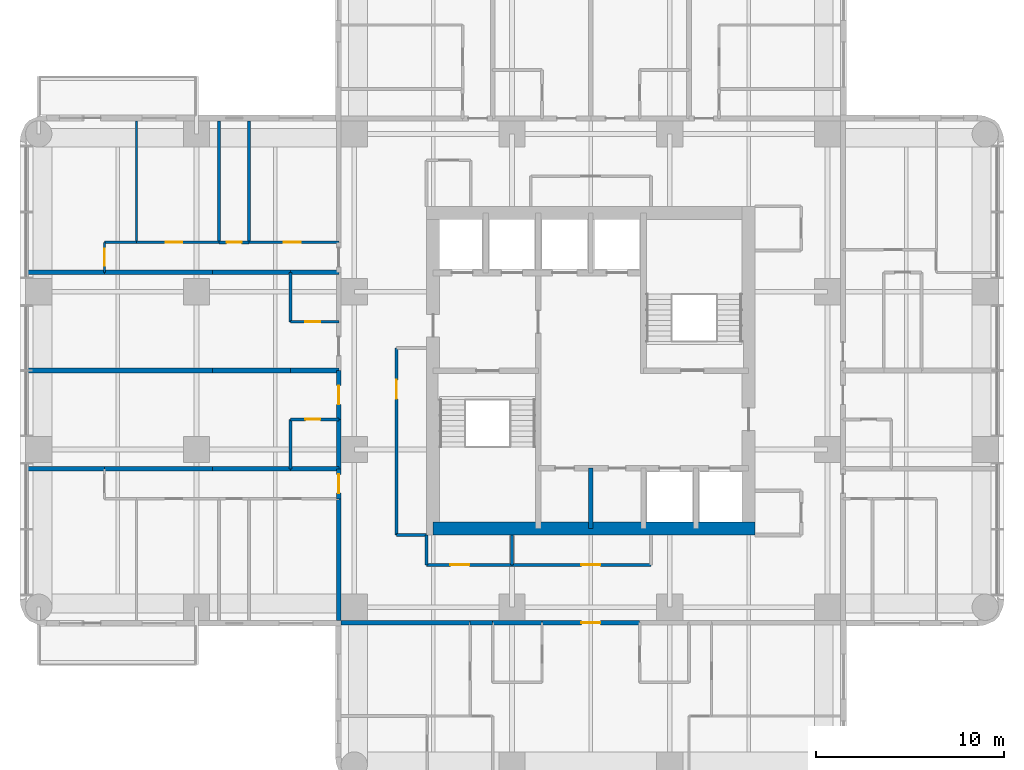
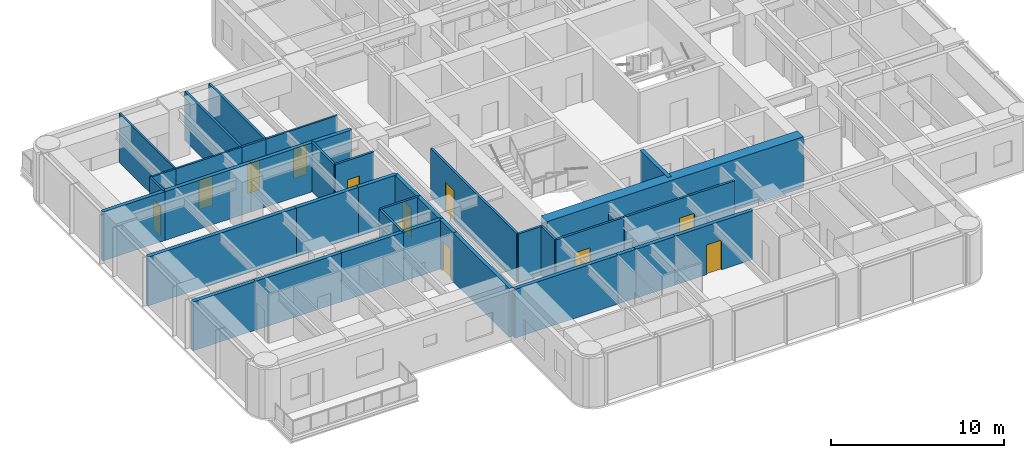
# One storey, part 5 of 11: 39 walls, 12 doors, 12 openings.
"""IFC4 building model written with IfcOpenShell, lengths in metres."""

from ifc_helpers import new_model, si_unit, direction, frame, frame_2d, origin, place, context, subcontext, project, spatial, rectangle, extrude, material, layer, layer_set, type_object, element, fill, save


model = new_model("IFC4")

# Units and contexts
model_context = context("Model", 3, precision=1e-05, world=origin(), true_north=direction((0.0, 1.0)))
body_context = subcontext(model_context, "Body", "Model", "MODEL_VIEW")
ifc_project = project(units=[si_unit("LENGTHUNIT", "METRE"), si_unit("AREAUNIT", "SQUARE_METRE"), si_unit("VOLUMEUNIT", "CUBIC_METRE"), si_unit("PLANEANGLEUNIT", "RADIAN"), si_unit("MASSUNIT", "GRAM", prefix="KILO")], contexts=[model_context])

# Site, building, storey
site_placement = place(None, origin())
site = spatial("IfcSite", under=ifc_project, at=site_placement, CompositionType="ELEMENT")
building_placement = place(site_placement, origin())
building = spatial("IfcBuilding", under=site, at=building_placement, Name="Torre Alcanfor", CompositionType="ELEMENT")
storey_placement = place(building_placement, frame((0.0, 0.0, 219.300048828125)))
storey = spatial("IfcBuildingStorey", under=building, at=storey_placement, Name="L57", CompositionType="ELEMENT", Elevation=219.300048828125)

# Wall, opening, door
ifc_material_1 = material(Name="Concrete block masonry, hollow blocks NMX-C-404 9 MPa", Category="masonry")
ifc_layer_1 = layer(ifc_material_1, 0.25)
ifc_layer_set_1 = layer_set([ifc_layer_1], Name="Apartment entrance wall 250 EI 60")
wall_type_1 = type_object("IfcWallType", Name="Apartment entrance wall 250 EI 60", PredefinedType="PARTITIONING", material=ifc_layer_set_1)
wall_1_placement = place(storey_placement, frame((32.0, 15.97509765625, 0.0), z_axis=(0.0, 0.0, 1.0), x_axis=(-1.0, 0.0, 0.0)))
wall_1 = element("IfcWall", 1, at=wall_1_placement, inside=storey, type_object=wall_type_1, Name="Partition L57-CORR / L57-SX-ZAG", PredefinedType="PARTITIONING", context=body_context, shape_type="SweptSolid", body=[
    extrude(rectangle(XDim=5.199951171875, YDim=0.25, at=frame_2d((2.60009765625, 0.0))), origin(), (0.0, 0.0, 1.0), 3.449951171875),
])
opening_1_placement = place(wall_1_placement, frame((2.10009765625, 0.0, 0.0)))
opening_1 = element("IfcOpeningElement", 2, at=opening_1_placement, cuts=wall_1, Name="Opening D-A1", PredefinedType="OPENING", context=body_context, shape_type="SweptSolid", body=[
    extrude(rectangle(XDim=1.0, YDim=2.10009765625, at=frame_2d((0.5, 1.050048828125))), frame((0.0, 0.135009765625, 0.0), z_axis=(0.0, -1.0, 0.0), x_axis=(1.0, 0.0, 0.0)), (0.0, 0.0, 1.0), 0.27001953125),
])
ifc_material_2 = material(Name="Galvanised steel sheet ASTM A653", Category="steel")
door_type_1 = type_object("IfcDoorType", Name="Apartment entrance door FD60 1000x2100", OperationType="SINGLE_SWING_LEFT", PredefinedType="DOOR", material=ifc_material_2)
door_1_placement = place(opening_1_placement, origin())
door_1 = element("IfcDoor", 3, at=door_1_placement, inside=storey, type_object=door_type_1, Name="Apartment entrance L57-SX", OperationType="SINGLE_SWING_LEFT", OverallHeight=2.10009765625, OverallWidth=1.0, PredefinedType="DOOR", context=body_context, shape_type="SweptSolid", body=[
    extrude(rectangle(XDim=1.0, YDim=2.10009765625, at=frame_2d((0.5, 1.050048828125))), frame((0.0, 0.02490234375, 0.0), z_axis=(0.0, -1.0, 0.0), x_axis=(1.0, 0.0, 0.0)), (0.0, 0.0, 1.0), 0.050048828125),
])
fill(opening_1, door_1)

# Walls
wall_2_placement = place(storey_placement, frame((26.800048828125, 15.97509765625, 0.0), z_axis=(0.0, 0.0, 1.0), x_axis=(-1.0, 0.0, 0.0)))
element("IfcWall", 4, at=wall_2_placement, inside=storey, type_object=wall_type_1, Name="Partition L57-CORR / L57-SX-KITCHEN", PredefinedType="PARTITIONING", context=body_context, shape_type="SweptSolid", body=[
    extrude(rectangle(XDim=2.629150390625, YDim=0.25, at=frame_2d((1.314453125, 0.0))), origin(), (0.0, 0.0, 1.0), 3.449951171875),
])
wall_3_placement = place(storey_placement, frame((24.1708984375, 15.97509765625, 0.0), z_axis=(0.0, 0.0, 1.0), x_axis=(-1.0, 0.0, 0.0)))
element("IfcWall", 5, at=wall_3_placement, inside=storey, type_object=wall_type_1, Name="Partition L57-CORR / L57-SX-LIVING", PredefinedType="PARTITIONING", context=body_context, shape_type="SweptSolid", body=[
    extrude(rectangle(XDim=1.199951171875, YDim=0.25, at=frame_2d((0.60009765625, 0.0))), origin(), (0.0, 0.0, 1.0), 3.449951171875),
])
wall_4_placement = place(storey_placement, frame((22.970947265625, 15.97509765625, 0.0), z_axis=(0.0, 0.0, 1.0), x_axis=(-1.0, 0.0, 0.0)))
element("IfcWall", 6, at=wall_4_placement, inside=storey, type_object=wall_type_1, Name="Partition L57-CORR / L57-SX-BED3", PredefinedType="PARTITIONING", context=body_context, shape_type="SweptSolid", body=[
    extrude(rectangle(XDim=6.870849609375, YDim=0.25, at=frame_2d((3.435546875, 0.0))), origin(), (0.0, 0.0, 1.0), 3.449951171875),
])

# Wall, opening, door
wall_5_placement = place(storey_placement, frame((15.97509765625, 26.800048828125, 0.0), z_axis=(0.0, 0.0, 1.0), x_axis=(0.0, 1.0, 0.0)))
wall_5 = element("IfcWall", 7, at=wall_5_placement, inside=storey, type_object=wall_type_1, Name="Partition L57-CORR / L57-W1A-FOYER", PredefinedType="PARTITIONING", context=body_context, shape_type="SweptSolid", body=[
    extrude(rectangle(XDim=2.599853515625, YDim=0.25, at=frame_2d((1.2998046875, 0.0))), origin(), (0.0, 0.0, 1.0), 3.449951171875),
])
opening_2_placement = place(wall_5_placement, frame((0.800048828125, 0.0, 0.0)))
opening_2 = element("IfcOpeningElement", 8, at=opening_2_placement, cuts=wall_5, Name="Opening D-A1", PredefinedType="OPENING", context=body_context, shape_type="SweptSolid", body=[
    extrude(rectangle(XDim=1.0, YDim=2.10009765625, at=frame_2d((0.5, 1.050048828125))), frame((0.0, 0.135009765625, 0.0), z_axis=(0.0, -1.0, 0.0), x_axis=(1.0, 0.0, 0.0)), (0.0, 0.0, 1.0), 0.27001953125),
])
door_2_placement = place(opening_2_placement, origin())
door_2 = element("IfcDoor", 9, at=door_2_placement, inside=storey, type_object=door_type_1, Name="Apartment entrance L57-W1A", OperationType="SINGLE_SWING_LEFT", OverallHeight=2.10009765625, OverallWidth=1.0, PredefinedType="DOOR", context=body_context, shape_type="SweptSolid", body=[
    extrude(rectangle(XDim=1.0, YDim=2.10009765625, at=frame_2d((0.5, 1.050048828125))), frame((0.0, 0.02490234375, 0.0), z_axis=(0.0, -1.0, 0.0), x_axis=(1.0, 0.0, 0.0)), (0.0, 0.0, 1.0), 0.050048828125),
])
fill(opening_2, door_2)

# Wall
wall_6_placement = place(storey_placement, frame((15.97509765625, 24.1708984375, 0.0), z_axis=(0.0, 0.0, 1.0), x_axis=(0.0, 1.0, 0.0)))
element("IfcWall", 10, at=wall_6_placement, inside=storey, type_object=wall_type_1, Name="Partition L57-CORR / L57-W1A-BATH", PredefinedType="PARTITIONING", context=body_context, shape_type="SweptSolid", body=[
    extrude(rectangle(XDim=2.629150390625, YDim=0.25, at=frame_2d((1.314453125, 0.0))), origin(), (0.0, 0.0, 1.0), 3.449951171875),
])

# Wall, opening, door
wall_7_placement = place(storey_placement, frame((15.97509765625, 22.571044921875, 0.0), z_axis=(0.0, 0.0, 1.0), x_axis=(0.0, 1.0, 0.0)))
wall_7 = element("IfcWall", 11, at=wall_7_placement, inside=storey, type_object=wall_type_1, Name="Partition L57-CORR / L57-W1B-HALL", PredefinedType="PARTITIONING", context=body_context, shape_type="SweptSolid", body=[
    extrude(rectangle(XDim=1.599853515625, YDim=0.25, at=frame_2d((0.7998046875, 0.0))), origin(), (0.0, 0.0, 1.0), 3.449951171875),
])
opening_3_placement = place(wall_7_placement, frame((0.300048828125, 0.0, 0.0)))
opening_3 = element("IfcOpeningElement", 12, at=opening_3_placement, cuts=wall_7, Name="Opening D-A1", PredefinedType="OPENING", context=body_context, shape_type="SweptSolid", body=[
    extrude(rectangle(XDim=1.0, YDim=2.10009765625, at=frame_2d((0.5, 1.050048828125))), frame((0.0, 0.135009765625, 0.0), z_axis=(0.0, -1.0, 0.0), x_axis=(1.0, 0.0, 0.0)), (0.0, 0.0, 1.0), 0.27001953125),
])
door_3_placement = place(opening_3_placement, origin())
door_3 = element("IfcDoor", 13, at=door_3_placement, inside=storey, type_object=door_type_1, Name="Apartment entrance L57-W1B", OperationType="SINGLE_SWING_LEFT", OverallHeight=2.10009765625, OverallWidth=1.0, PredefinedType="DOOR", context=body_context, shape_type="SweptSolid", body=[
    extrude(rectangle(XDim=1.0, YDim=2.10009765625, at=frame_2d((0.5, 1.050048828125))), frame((0.0, 0.02490234375, 0.0), z_axis=(0.0, -1.0, 0.0), x_axis=(1.0, 0.0, 0.0)), (0.0, 0.0, 1.0), 0.050048828125),
])
fill(opening_3, door_3)

# Wall
wall_8_placement = place(storey_placement, frame((15.97509765625, 16.10009765625, 0.0), z_axis=(0.0, 0.0, 1.0), x_axis=(0.0, 1.0, 0.0)))
element("IfcWall", 14, at=wall_8_placement, inside=storey, type_object=wall_type_1, Name="Partition L57-CORR / L57-W1B-MASTER", PredefinedType="PARTITIONING", context=body_context, shape_type="SweptSolid", body=[
    extrude(rectangle(XDim=6.470947265625, YDim=0.25, at=frame_2d((3.2353515625, 0.0))), origin(), (0.0, 0.0, 1.0), 3.449951171875),
])

# Wall, opening, door
ifc_material_3 = material(Name="Gypsum board on steel studs", Category="steel")
ifc_layer_2 = layer(ifc_material_3, 0.1201171875)
ifc_layer_set_2 = layer_set([ifc_layer_2], Name="Apartment partition 120")
wall_type_2 = type_object("IfcWallType", Name="Apartment partition 120", PredefinedType="PARTITIONING", material=ifc_layer_set_2)
wall_9_placement = place(storey_placement, frame((11.199951171875, 36.22900390625, 0.0), z_axis=(0.0, 0.0, 1.0), x_axis=(1.0, 0.0, 0.0)))
wall_9 = element("IfcWall", 15, at=wall_9_placement, inside=storey, type_object=wall_type_2, Name="Partition L57-W2B-HALL / L57-W2B-MASTER", PredefinedType="PARTITIONING", context=body_context, shape_type="SweptSolid", body=[
    extrude(rectangle(XDim=4.775146484375, YDim=0.1201171875, at=frame_2d((2.3876953125, 0.0))), origin(), (0.0, 0.0, 1.0), 3.449951171875),
])
opening_4_placement = place(wall_9_placement, frame((1.85009765625, 0.0, 0.0)))
opening_4 = element("IfcOpeningElement", 16, at=opening_4_placement, cuts=wall_9, Name="Opening D-R1", PredefinedType="OPENING", context=body_context, shape_type="SweptSolid", body=[
    extrude(rectangle(XDim=0.89990234375, YDim=2.10009765625, at=frame_2d((0.449951171875, 1.050048828125))), frame((0.0, 0.070068359375, 0.0), z_axis=(0.0, -1.0, 0.0), x_axis=(1.0, 0.0, 0.0)), (0.0, 0.0, 1.0), 0.14013671875),
])
ifc_material_4 = material(Name="Timber", Category="wood")
door_type_2 = type_object("IfcDoorType", Name="Internal door 900x2100", OperationType="SINGLE_SWING_LEFT", PredefinedType="DOOR", material=ifc_material_4)
door_4_placement = place(opening_4_placement, origin())
door_4 = element("IfcDoor", 17, at=door_4_placement, inside=storey, type_object=door_type_2, Name="Door L57-W2B master", OperationType="SINGLE_SWING_LEFT", OverallHeight=2.10009765625, OverallWidth=0.89990234375, PredefinedType="DOOR", context=body_context, shape_type="SweptSolid", body=[
    extrude(rectangle(XDim=0.89990234375, YDim=2.10009765625, at=frame_2d((0.449951171875, 1.050048828125))), frame((0.0, 0.02490234375, 0.0), z_axis=(0.0, -1.0, 0.0), x_axis=(1.0, 0.0, 0.0)), (0.0, 0.0, 1.0), 0.050048828125),
])
fill(opening_4, door_4)

wall_10_placement = place(storey_placement, frame((5.199951171875, 36.22900390625, 0.0), z_axis=(0.0, 0.0, 1.0), x_axis=(1.0, 0.0, 0.0)))
wall_10 = element("IfcWall", 18, at=wall_10_placement, inside=storey, type_object=wall_type_2, Name="Partition L57-W2B-HALL / L57-W2B-STUDY", PredefinedType="PARTITIONING", context=body_context, shape_type="SweptSolid", body=[
    extrude(rectangle(XDim=4.400146484375, YDim=0.1201171875, at=frame_2d((2.2001953125, 0.0))), origin(), (0.0, 0.0, 1.0), 3.449951171875),
])
opening_5_placement = place(wall_10_placement, frame((1.550048828125, 0.0, 0.0)))
opening_5 = element("IfcOpeningElement", 19, at=opening_5_placement, cuts=wall_10, Name="Opening D-R1", PredefinedType="OPENING", context=body_context, shape_type="SweptSolid", body=[
    extrude(rectangle(XDim=0.89990234375, YDim=2.10009765625, at=frame_2d((0.449951171875, 1.050048828125))), frame((0.0, 0.070068359375, 0.0), z_axis=(0.0, -1.0, 0.0), x_axis=(1.0, 0.0, 0.0)), (0.0, 0.0, 1.0), 0.14013671875),
])
door_5_placement = place(opening_5_placement, origin())
door_5 = element("IfcDoor", 20, at=door_5_placement, inside=storey, type_object=door_type_2, Name="Door L57-W2B study", OperationType="SINGLE_SWING_LEFT", OverallHeight=2.10009765625, OverallWidth=0.89990234375, PredefinedType="DOOR", context=body_context, shape_type="SweptSolid", body=[
    extrude(rectangle(XDim=0.89990234375, YDim=2.10009765625, at=frame_2d((0.449951171875, 1.050048828125))), frame((0.0, 0.02490234375, 0.0), z_axis=(0.0, -1.0, 0.0), x_axis=(1.0, 0.0, 0.0)), (0.0, 0.0, 1.0), 0.050048828125),
])
fill(opening_5, door_5)

# Wall
wall_11_placement = place(storey_placement, frame((3.5, 36.22900390625, 0.0), z_axis=(0.0, 0.0, 1.0), x_axis=(1.0, 0.0, 0.0)))
element("IfcWall", 21, at=wall_11_placement, inside=storey, type_object=wall_type_2, Name="Partition L57-W2B-HALL / L57-W2B-KITCHEN", PredefinedType="PARTITIONING", context=body_context, shape_type="SweptSolid", body=[
    extrude(rectangle(XDim=1.699951171875, YDim=0.1201171875, at=frame_2d((0.85009765625, 0.0))), origin(), (0.0, 0.0, 1.0), 3.449951171875),
])

# Wall, opening, door
wall_12_placement = place(storey_placement, frame((3.5, 34.62890625, 0.0), z_axis=(0.0, 0.0, 1.0), x_axis=(0.0, 1.0, 0.0)))
wall_12 = element("IfcWall", 22, at=wall_12_placement, inside=storey, type_object=wall_type_2, Name="Partition L57-W2B-HALL / L57-W2B-LIVING", PredefinedType="PARTITIONING", context=body_context, shape_type="SweptSolid", body=[
    extrude(rectangle(XDim=1.60009765625, YDim=0.1201171875, at=frame_2d((0.800048828125, 0.0))), origin(), (0.0, 0.0, 1.0), 3.449951171875),
])
opening_6_placement = place(wall_12_placement, frame((0.35009765625, 0.0, 0.0)))
opening_6 = element("IfcOpeningElement", 23, at=opening_6_placement, cuts=wall_12, Name="Opening D-R1", PredefinedType="OPENING", context=body_context, shape_type="SweptSolid", body=[
    extrude(rectangle(XDim=0.89990234375, YDim=2.10009765625, at=frame_2d((0.449951171875, 1.050048828125))), frame((0.0, 0.070068359375, 0.0), z_axis=(0.0, -1.0, 0.0), x_axis=(1.0, 0.0, 0.0)), (0.0, 0.0, 1.0), 0.14013671875),
])
door_6_placement = place(opening_6_placement, origin())
door_6 = element("IfcDoor", 24, at=door_6_placement, inside=storey, type_object=door_type_2, Name="Door L57-W2B living", OperationType="SINGLE_SWING_LEFT", OverallHeight=2.10009765625, OverallWidth=0.89990234375, PredefinedType="DOOR", context=body_context, shape_type="SweptSolid", body=[
    extrude(rectangle(XDim=0.89990234375, YDim=2.10009765625, at=frame_2d((0.449951171875, 1.050048828125))), frame((0.0, 0.02490234375, 0.0), z_axis=(0.0, -1.0, 0.0), x_axis=(1.0, 0.0, 0.0)), (0.0, 0.0, 1.0), 0.050048828125),
])
fill(opening_6, door_6)

# Walls
wall_13_placement = place(storey_placement, frame((5.199951171875, 36.22900390625, 0.0), z_axis=(0.0, 0.0, 1.0), x_axis=(0.0, 1.0, 0.0)))
element("IfcWall", 25, at=wall_13_placement, inside=storey, type_object=wall_type_2, Name="Partition L57-W2B-STUDY / L57-W2B-KITCHEN", PredefinedType="PARTITIONING", context=body_context, shape_type="SweptSolid", body=[
    extrude(rectangle(XDim=6.470947265625, YDim=0.1201171875, at=frame_2d((3.2353515625, 0.0))), origin(), (0.0, 0.0, 1.0), 3.449951171875),
])
ifc_material_5 = material(Name="Concrete f'c 70 MPa", Category="concrete")
ifc_layer_3 = layer(ifc_material_5, 0.25)
ifc_layer_set_3 = layer_set([ifc_layer_3], Name="Core shaft wall 250 f'c70")
wall_type_3 = type_object("IfcWallType", Name="Core shaft wall 250 f'c70", PredefinedType="SHEAR", material=ifc_layer_set_3)
wall_14_placement = place(storey_placement, frame((29.39990234375, 21.0, 0.0), z_axis=(0.0, 0.0, 1.0), x_axis=(0.0, 1.0, 0.0)))
element("IfcWall", 26, at=wall_14_placement, inside=storey, type_object=wall_type_3, Name="Core wall X294S L57", PredefinedType="SHEAR", context=body_context, shape_type="SweptSolid", body=[
    extrude(rectangle(XDim=3.199951171875, YDim=0.25, at=frame_2d((1.60009765625, 0.0))), origin(), (0.0, 0.0, 1.0), 3.599853515625),
])
ifc_material_6 = material(Name="Concrete f'c 70 MPa", Category="concrete")
ifc_layer_4 = layer(ifc_material_6, 0.699951171875)
ifc_layer_set_4 = layer_set([ifc_layer_4], Name="Core wall 700 f'c70")
wall_type_4 = type_object("IfcWallType", Name="Core wall 700 f'c70", PredefinedType="SHEAR", material=ifc_layer_set_4)
wall_15_placement = place(storey_placement, frame((21.0, 21.0, 0.0), z_axis=(0.0, 0.0, 1.0), x_axis=(1.0, 0.0, 0.0)))
element("IfcWall", 27, at=wall_15_placement, inside=storey, type_object=wall_type_4, Name="Core wall OUT-S L57", PredefinedType="SHEAR", context=body_context, shape_type="SweptSolid", body=[
    extrude(rectangle(XDim=17.14990234375, YDim=0.699951171875, at=frame_2d((8.574951171875, 0.0))), origin(), (0.0, 0.0, 1.0), 3.599853515625),
])
ifc_material_7 = material(Name="Concrete block masonry, hollow blocks NMX-C-404 9 MPa", Category="masonry")
ifc_layer_5 = layer(ifc_material_7, 0.25)
ifc_layer_set_5 = layer_set([ifc_layer_5], Name="Party wall 250 EI 60")
wall_type_5 = type_object("IfcWallType", Name="Party wall 250 EI 60", PredefinedType="PARTITIONING", material=ifc_layer_set_5)
for number, where, z_axis, x_axis, name in (
    (28, (15.97509765625, 29.39990234375, 0.0), (0.0, 0.0, 1.0), (-1.0, 0.0, 0.0), "Partition L57-W1A-FOYER / L57-W2A-FOYER"),
    (29, (13.39990234375, 24.1708984375, 0.0), (0.0, 0.0, 1.0), (1.0, 0.0, 0.0), "Partition L57-W1A-BATH / L57-W1B-HALL"),
):
    element("IfcWall", number, at=place(storey_placement, frame(where, z_axis=z_axis, x_axis=x_axis)), inside=storey, type_object=wall_type_5, Name=name, PredefinedType="PARTITIONING", context=body_context, shape_type="SweptSolid", body=[
        extrude(rectangle(XDim=2.5751953125, YDim=0.25, at=frame_2d((1.28759765625, 0.0))), origin(), (0.0, 0.0, 1.0), 3.449951171875),
    ])
for number, where, z_axis, x_axis, name in (
    (30, (9.25, 24.1708984375, 0.0), (0.0, 0.0, 1.0), (1.0, 0.0, 0.0), "Partition L57-W1A-KITCHEN / L57-W1B-HALL"),
    (31, (13.39990234375, 29.39990234375, 0.0), (0.0, 0.0, 1.0), (-1.0, 0.0, 0.0), "Partition L57-W1A-KITCHEN / L57-W2A-KITCHEN"),
):
    element("IfcWall", number, at=place(storey_placement, frame(where, z_axis=z_axis, x_axis=x_axis)), inside=storey, type_object=wall_type_5, Name=name, PredefinedType="PARTITIONING", context=body_context, shape_type="SweptSolid", body=[
        extrude(rectangle(XDim=4.14990234375, YDim=0.25, at=frame_2d((2.074951171875, 0.0))), origin(), (0.0, 0.0, 1.0), 3.449951171875),
    ])
wall_16_placement = place(storey_placement, frame((3.5, 24.1708984375, 0.0), z_axis=(0.0, 0.0, 1.0), x_axis=(1.0, 0.0, 0.0)))
element("IfcWall", 32, at=wall_16_placement, inside=storey, type_object=wall_type_5, Name="Partition L57-W1A-STUDIO / L57-W1B-HALL", PredefinedType="PARTITIONING", context=body_context, shape_type="SweptSolid", body=[
    extrude(rectangle(XDim=5.75, YDim=0.25, at=frame_2d((2.875, 0.0))), origin(), (0.0, 0.0, 1.0), 3.449951171875),
])
wall_17_placement = place(storey_placement, frame((-0.64990234375, 24.1708984375, 0.0), z_axis=(0.0, 0.0, 1.0), x_axis=(1.0, 0.0, 0.0)))
element("IfcWall", 33, at=wall_17_placement, inside=storey, type_object=wall_type_5, Name="Partition L57-W1A-STUDIO / L57-W1B-LIVING", PredefinedType="PARTITIONING", context=body_context, shape_type="SweptSolid", body=[
    extrude(rectangle(XDim=4.14990234375, YDim=0.25, at=frame_2d((2.074951171875, 0.0))), origin(), (0.0, 0.0, 1.0), 3.449951171875),
])
wall_18_placement = place(storey_placement, frame((9.25, 29.39990234375, 0.0), z_axis=(0.0, 0.0, 1.0), x_axis=(-1.0, 0.0, 0.0)))
element("IfcWall", 34, at=wall_18_placement, inside=storey, type_object=wall_type_5, Name="Partition L57-W1A-STUDIO / L57-W2A-STUDIO", PredefinedType="PARTITIONING", context=body_context, shape_type="SweptSolid", body=[
    extrude(rectangle(XDim=9.89990234375, YDim=0.25, at=frame_2d((4.949951171875, 0.0))), origin(), (0.0, 0.0, 1.0), 3.449951171875),
])
wall_19_placement = place(storey_placement, frame((13.39990234375, 34.62890625, 0.0), z_axis=(0.0, 0.0, 1.0), x_axis=(1.0, 0.0, 0.0)))
element("IfcWall", 35, at=wall_19_placement, inside=storey, type_object=wall_type_5, Name="Partition L57-W2A-BATH / L57-W2B-HALL", PredefinedType="PARTITIONING", context=body_context, shape_type="SweptSolid", body=[
    extrude(rectangle(XDim=2.5751953125, YDim=0.25, at=frame_2d((1.28759765625, 0.0))), origin(), (0.0, 0.0, 1.0), 3.449951171875),
])
wall_20_placement = place(storey_placement, frame((9.25, 34.62890625, 0.0), z_axis=(0.0, 0.0, 1.0), x_axis=(1.0, 0.0, 0.0)))
element("IfcWall", 36, at=wall_20_placement, inside=storey, type_object=wall_type_5, Name="Partition L57-W2A-KITCHEN / L57-W2B-HALL", PredefinedType="PARTITIONING", context=body_context, shape_type="SweptSolid", body=[
    extrude(rectangle(XDim=4.14990234375, YDim=0.25, at=frame_2d((2.074951171875, 0.0))), origin(), (0.0, 0.0, 1.0), 3.449951171875),
])
wall_21_placement = place(storey_placement, frame((3.5, 34.62890625, 0.0), z_axis=(0.0, 0.0, 1.0), x_axis=(1.0, 0.0, 0.0)))
element("IfcWall", 37, at=wall_21_placement, inside=storey, type_object=wall_type_5, Name="Partition L57-W2A-STUDIO / L57-W2B-HALL", PredefinedType="PARTITIONING", context=body_context, shape_type="SweptSolid", body=[
    extrude(rectangle(XDim=5.75, YDim=0.25, at=frame_2d((2.875, 0.0))), origin(), (0.0, 0.0, 1.0), 3.449951171875),
])
wall_22_placement = place(storey_placement, frame((-0.64990234375, 34.62890625, 0.0), z_axis=(0.0, 0.0, 1.0), x_axis=(1.0, 0.0, 0.0)))
element("IfcWall", 38, at=wall_22_placement, inside=storey, type_object=wall_type_5, Name="Partition L57-W2A-STUDIO / L57-W2B-LIVING", PredefinedType="PARTITIONING", context=body_context, shape_type="SweptSolid", body=[
    extrude(rectangle(XDim=4.14990234375, YDim=0.25, at=frame_2d((2.074951171875, 0.0))), origin(), (0.0, 0.0, 1.0), 3.449951171875),
])
ifc_material_8 = material(Name="Concrete block masonry, hollow blocks NMX-C-404 9 MPa", Category="masonry")
ifc_layer_6 = layer(ifc_material_8, 0.14990234375)
ifc_layer_set_6 = layer_set([ifc_layer_6], Name="Residents' room partition 150")
wall_type_6 = type_object("IfcWallType", Name="Residents' room partition 150", PredefinedType="PARTITIONING", material=ifc_layer_set_6)
wall_23_placement = place(storey_placement, frame((20.64990234375, 20.64990234375, 0.0), z_axis=(0.0, 0.0, 1.0), x_axis=(0.0, -1.0, 0.0)))
element("IfcWall", 39, at=wall_23_placement, inside=storey, type_object=wall_type_6, Name="Partition L57-CORR / L57-G05", PredefinedType="PARTITIONING", context=body_context, shape_type="SweptSolid", body=[
    extrude(rectangle(XDim=1.599853515625, YDim=0.14990234375, at=frame_2d((0.7998046875, 0.0))), origin(), (0.0, 0.0, 1.0), 3.449951171875),
])

# Wall, opening, door
wall_24_placement = place(storey_placement, frame((20.64990234375, 19.050048828125, 0.0), z_axis=(0.0, 0.0, 1.0), x_axis=(1.0, 0.0, 0.0)))
wall_24 = element("IfcWall", 40, at=wall_24_placement, inside=storey, type_object=wall_type_6, Name="Partition L57-CORR / L57-G05", PredefinedType="PARTITIONING", context=body_context, shape_type="SweptSolid", body=[
    extrude(rectangle(XDim=4.550048828125, YDim=0.14990234375, at=frame_2d((2.27490234375, 0.0))), origin(), (0.0, 0.0, 1.0), 3.449951171875),
])
opening_7_placement = place(wall_24_placement, frame((1.27490234375, 0.0, 0.0)))
opening_7 = element("IfcOpeningElement", 41, at=opening_7_placement, cuts=wall_24, Name="Opening D-M1", PredefinedType="OPENING", context=body_context, shape_type="SweptSolid", body=[
    extrude(rectangle(XDim=1.0, YDim=2.10009765625, at=frame_2d((0.5, 1.050048828125))), frame((0.0, 0.0849609375, 0.0), z_axis=(0.0, -1.0, 0.0), x_axis=(1.0, 0.0, 0.0)), (0.0, 0.0, 1.0), 0.169921875),
])
ifc_material_9 = material(Name="Timber", Category="wood")
door_type_3 = type_object("IfcDoorType", Name="Residents' room door 1000x2100", OperationType="SINGLE_SWING_LEFT", PredefinedType="DOOR", material=ifc_material_9)
door_7_placement = place(opening_7_placement, origin())
door_7 = element("IfcDoor", 42, at=door_7_placement, inside=storey, type_object=door_type_3, Name="Door L57-G05 residents' storage", OperationType="SINGLE_SWING_LEFT", OverallHeight=2.10009765625, OverallWidth=1.0, PredefinedType="DOOR", context=body_context, shape_type="SweptSolid", body=[
    extrude(rectangle(XDim=1.0, YDim=2.10009765625, at=frame_2d((0.5, 1.050048828125))), frame((0.0, 0.02490234375, 0.0), z_axis=(0.0, -1.0, 0.0), x_axis=(1.0, 0.0, 0.0)), (0.0, 0.0, 1.0), 0.050048828125),
])
fill(opening_7, door_7)

wall_25_placement = place(storey_placement, frame((25.199951171875, 19.050048828125, 0.0), z_axis=(0.0, 0.0, 1.0), x_axis=(1.0, 0.0, 0.0)))
wall_25 = element("IfcWall", 43, at=wall_25_placement, inside=storey, type_object=wall_type_6, Name="Partition L57-CORR / L57-G06", PredefinedType="PARTITIONING", context=body_context, shape_type="SweptSolid", body=[
    extrude(rectangle(XDim=7.400146484375, YDim=0.14990234375, at=frame_2d((3.7001953125, 0.0))), origin(), (0.0, 0.0, 1.0), 3.449951171875),
])
opening_8_placement = place(wall_25_placement, frame((3.699951171875, 0.0, 0.0)))
opening_8 = element("IfcOpeningElement", 44, at=opening_8_placement, cuts=wall_25, Name="Opening D-M1", PredefinedType="OPENING", context=body_context, shape_type="SweptSolid", body=[
    extrude(rectangle(XDim=1.0, YDim=2.10009765625, at=frame_2d((0.5, 1.050048828125))), frame((0.0, 0.0849609375, 0.0), z_axis=(0.0, -1.0, 0.0), x_axis=(1.0, 0.0, 0.0)), (0.0, 0.0, 1.0), 0.169921875),
])
door_8_placement = place(opening_8_placement, origin())
door_8 = element("IfcDoor", 45, at=door_8_placement, inside=storey, type_object=door_type_3, Name="Door L57-G06 residents' storage", OperationType="SINGLE_SWING_RIGHT", OverallHeight=2.10009765625, OverallWidth=1.0, PredefinedType="DOOR", context=body_context, shape_type="SweptSolid", body=[
    extrude(rectangle(XDim=1.0, YDim=2.10009765625, at=frame_2d((0.5, 1.050048828125))), frame((0.0, 0.02490234375, 0.0), z_axis=(0.0, -1.0, 0.0), x_axis=(1.0, 0.0, 0.0)), (0.0, 0.0, 1.0), 0.050048828125),
])
fill(opening_8, door_8)

wall_26_placement = place(storey_placement, frame((19.050048828125, 30.60009765625, 0.0), z_axis=(0.0, 0.0, 1.0), x_axis=(0.0, -1.0, 0.0)))
wall_26 = element("IfcWall", 46, at=wall_26_placement, inside=storey, type_object=wall_type_6, Name="Partition L57-CORR / L57-G07", PredefinedType="PARTITIONING", context=body_context, shape_type="SweptSolid", body=[
    extrude(rectangle(XDim=9.9501953125, YDim=0.14990234375, at=frame_2d((4.97509765625, 0.0))), origin(), (0.0, 0.0, 1.0), 3.449951171875),
])
opening_9_placement = place(wall_26_placement, frame((1.699951171875, 0.0, 0.0)))
opening_9 = element("IfcOpeningElement", 47, at=opening_9_placement, cuts=wall_26, Name="Opening D-M1", PredefinedType="OPENING", context=body_context, shape_type="SweptSolid", body=[
    extrude(rectangle(XDim=1.0, YDim=2.10009765625, at=frame_2d((0.5, 1.050048828125))), frame((0.0, 0.0849609375, 0.0), z_axis=(0.0, -1.0, 0.0), x_axis=(1.0, 0.0, 0.0)), (0.0, 0.0, 1.0), 0.169921875),
])
door_9_placement = place(opening_9_placement, origin())
door_9 = element("IfcDoor", 48, at=door_9_placement, inside=storey, type_object=door_type_3, Name="Door L57-G07 residents' study", OperationType="SINGLE_SWING_LEFT", OverallHeight=2.10009765625, OverallWidth=1.0, PredefinedType="DOOR", context=body_context, shape_type="SweptSolid", body=[
    extrude(rectangle(XDim=1.0, YDim=2.10009765625, at=frame_2d((0.5, 1.050048828125))), frame((0.0, 0.02490234375, 0.0), z_axis=(0.0, -1.0, 0.0), x_axis=(1.0, 0.0, 0.0)), (0.0, 0.0, 1.0), 0.050048828125),
])
fill(opening_9, door_9)

# Walls
wall_27_placement = place(storey_placement, frame((19.050048828125, 20.64990234375, 0.0), z_axis=(0.0, 0.0, 1.0), x_axis=(1.0, 0.0, 0.0)))
element("IfcWall", 49, at=wall_27_placement, inside=storey, type_object=wall_type_6, Name="Partition L57-CORR / L57-G07", PredefinedType="PARTITIONING", context=body_context, shape_type="SweptSolid", body=[
    extrude(rectangle(XDim=1.599853515625, YDim=0.14990234375, at=frame_2d((0.7998046875, 0.0))), origin(), (0.0, 0.0, 1.0), 3.449951171875),
])
wall_28_placement = place(storey_placement, frame((25.199951171875, 19.050048828125, 0.0), z_axis=(0.0, 0.0, 1.0), x_axis=(0.0, 1.0, 0.0)))
element("IfcWall", 50, at=wall_28_placement, inside=storey, type_object=wall_type_6, Name="Partition L57-G05 / L57-G06", PredefinedType="PARTITIONING", context=body_context, shape_type="SweptSolid", body=[
    extrude(rectangle(XDim=1.599853515625, YDim=0.14990234375, at=frame_2d((0.7998046875, 0.0))), origin(), (0.0, 0.0, 1.0), 2.7666015625),
])

# Wall, opening, door
ifc_material_10 = material(Name="Cement board on steel studs", Category="steel")
ifc_layer_7 = layer(ifc_material_10, 0.14990234375)
ifc_layer_set_7 = layer_set([ifc_layer_7], Name="Wet area partition 150")
wall_type_7 = type_object("IfcWallType", Name="Wet area partition 150", PredefinedType="PARTITIONING", material=ifc_layer_set_7)
wall_29_placement = place(storey_placement, frame((13.39990234375, 26.800048828125, 0.0), z_axis=(0.0, 0.0, 1.0), x_axis=(1.0, 0.0, 0.0)))
wall_29 = element("IfcWall", 51, at=wall_29_placement, inside=storey, type_object=wall_type_7, Name="Partition L57-W1A-FOYER / L57-W1A-BATH", PredefinedType="PARTITIONING", context=body_context, shape_type="SweptSolid", body=[
    extrude(rectangle(XDim=2.5751953125, YDim=0.14990234375, at=frame_2d((1.28759765625, 0.0))), origin(), (0.0, 0.0, 1.0), 3.449951171875),
])
opening_10_placement = place(wall_29_placement, frame((0.800048828125, 0.0, 0.0)))
opening_10 = element("IfcOpeningElement", 52, at=opening_10_placement, cuts=wall_29, Name="Opening D-R2", PredefinedType="OPENING", context=body_context, shape_type="SweptSolid", body=[
    extrude(rectangle(XDim=0.800048828125, YDim=2.10009765625, at=frame_2d((0.39990234375, 1.050048828125))), frame((0.0, 0.0849609375, 0.0), z_axis=(0.0, -1.0, 0.0), x_axis=(1.0, 0.0, 0.0)), (0.0, 0.0, 1.0), 0.169921875),
])
ifc_material_11 = material(Name="Timber", Category="wood")
door_type_4 = type_object("IfcDoorType", Name="Bathroom door 800x2100", OperationType="SINGLE_SWING_LEFT", PredefinedType="DOOR", material=ifc_material_11)
door_10_placement = place(opening_10_placement, frame((0.800048828125, 0.0, 0.0), z_axis=(0.0, 0.0, 1.0), x_axis=(-1.0, 0.0, 0.0)))
door_10 = element("IfcDoor", 53, at=door_10_placement, inside=storey, type_object=door_type_4, Name="Door L57-W1A bath", OperationType="SINGLE_SWING_RIGHT", OverallHeight=2.10009765625, OverallWidth=0.800048828125, PredefinedType="DOOR", context=body_context, shape_type="SweptSolid", body=[
    extrude(rectangle(XDim=0.800048828125, YDim=2.10009765625, at=frame_2d((0.400146484375, 1.050048828125))), frame((0.0, 0.025146484375, 0.0), z_axis=(0.0, -1.0, 0.0), x_axis=(1.0, 0.0, 0.0)), (0.0, 0.0, 1.0), 0.050048828125),
])
fill(opening_10, door_10)

# Wall
wall_30_placement = place(storey_placement, frame((13.39990234375, 26.800048828125, 0.0), z_axis=(0.0, 0.0, 1.0), x_axis=(0.0, -1.0, 0.0)))
element("IfcWall", 54, at=wall_30_placement, inside=storey, type_object=wall_type_7, Name="Partition L57-W1A-BATH / L57-W1A-KITCHEN", PredefinedType="PARTITIONING", context=body_context, shape_type="SweptSolid", body=[
    extrude(rectangle(XDim=2.629150390625, YDim=0.14990234375, at=frame_2d((1.314453125, 0.0))), origin(), (0.0, 0.0, 1.0), 3.449951171875),
])

# Wall, opening, door
wall_31_placement = place(storey_placement, frame((13.39990234375, 32.0, 0.0), z_axis=(0.0, 0.0, 1.0), x_axis=(1.0, 0.0, 0.0)))
wall_31 = element("IfcWall", 55, at=wall_31_placement, inside=storey, type_object=wall_type_7, Name="Partition L57-W2A-FOYER / L57-W2A-BATH", PredefinedType="PARTITIONING", context=body_context, shape_type="SweptSolid", body=[
    extrude(rectangle(XDim=2.5751953125, YDim=0.14990234375, at=frame_2d((1.28759765625, 0.0))), origin(), (0.0, 0.0, 1.0), 3.449951171875),
])
opening_11_placement = place(wall_31_placement, frame((0.800048828125, 0.0, 0.0)))
opening_11 = element("IfcOpeningElement", 56, at=opening_11_placement, cuts=wall_31, Name="Opening D-R2", PredefinedType="OPENING", context=body_context, shape_type="SweptSolid", body=[
    extrude(rectangle(XDim=0.800048828125, YDim=2.10009765625, at=frame_2d((0.39990234375, 1.050048828125))), frame((0.0, 0.0849609375, 0.0), z_axis=(0.0, -1.0, 0.0), x_axis=(1.0, 0.0, 0.0)), (0.0, 0.0, 1.0), 0.169921875),
])
door_11_placement = place(opening_11_placement, origin())
door_11 = element("IfcDoor", 57, at=door_11_placement, inside=storey, type_object=door_type_4, Name="Door L57-W2A bath", OperationType="SINGLE_SWING_LEFT", OverallHeight=2.10009765625, OverallWidth=0.800048828125, PredefinedType="DOOR", context=body_context, shape_type="SweptSolid", body=[
    extrude(rectangle(XDim=0.800048828125, YDim=2.10009765625, at=frame_2d((0.39990234375, 1.050048828125))), frame((0.0, 0.02490234375, 0.0), z_axis=(0.0, -1.0, 0.0), x_axis=(1.0, 0.0, 0.0)), (0.0, 0.0, 1.0), 0.050048828125),
])
fill(opening_11, door_11)

# Wall
wall_32_placement = place(storey_placement, frame((13.39990234375, 32.0, 0.0), z_axis=(0.0, 0.0, 1.0), x_axis=(0.0, 1.0, 0.0)))
element("IfcWall", 58, at=wall_32_placement, inside=storey, type_object=wall_type_7, Name="Partition L57-W2A-BATH / L57-W2A-KITCHEN", PredefinedType="PARTITIONING", context=body_context, shape_type="SweptSolid", body=[
    extrude(rectangle(XDim=2.62890625, YDim=0.14990234375, at=frame_2d((1.314453125, 0.0))), origin(), (0.0, 0.0, 1.0), 3.449951171875),
])

# Wall, opening, door
wall_33_placement = place(storey_placement, frame((9.60009765625, 36.22900390625, 0.0), z_axis=(0.0, 0.0, 1.0), x_axis=(1.0, 0.0, 0.0)))
wall_33 = element("IfcWall", 59, at=wall_33_placement, inside=storey, type_object=wall_type_7, Name="Partition L57-W2B-HALL / L57-W2B-BATH", PredefinedType="PARTITIONING", context=body_context, shape_type="SweptSolid", body=[
    extrude(rectangle(XDim=1.599853515625, YDim=0.14990234375, at=frame_2d((0.7998046875, 0.0))), origin(), (0.0, 0.0, 1.0), 3.449951171875),
])
opening_12_placement = place(wall_33_placement, frame((0.39990234375, 0.0, 0.0)))
opening_12 = element("IfcOpeningElement", 60, at=opening_12_placement, cuts=wall_33, Name="Opening D-R2", PredefinedType="OPENING", context=body_context, shape_type="SweptSolid", body=[
    extrude(rectangle(XDim=0.800048828125, YDim=2.10009765625, at=frame_2d((0.39990234375, 1.050048828125))), frame((0.0, 0.0849609375, 0.0), z_axis=(0.0, -1.0, 0.0), x_axis=(1.0, 0.0, 0.0)), (0.0, 0.0, 1.0), 0.169921875),
])
door_12_placement = place(opening_12_placement, origin())
door_12 = element("IfcDoor", 61, at=door_12_placement, inside=storey, type_object=door_type_4, Name="Door L57-W2B bath", OperationType="SINGLE_SWING_LEFT", OverallHeight=2.10009765625, OverallWidth=0.800048828125, PredefinedType="DOOR", context=body_context, shape_type="SweptSolid", body=[
    extrude(rectangle(XDim=0.800048828125, YDim=2.10009765625, at=frame_2d((0.39990234375, 1.050048828125))), frame((0.0, 0.02490234375, 0.0), z_axis=(0.0, -1.0, 0.0), x_axis=(1.0, 0.0, 0.0)), (0.0, 0.0, 1.0), 0.050048828125),
])
fill(opening_12, door_12)

# Walls
for number, where, z_axis, x_axis, name in (
    (62, (11.199951171875, 36.22900390625, 0.0), (0.0, 0.0, 1.0), (0.0, 1.0, 0.0), "Partition L57-W2B-MASTER / L57-W2B-BATH"),
    (63, (9.60009765625, 36.22900390625, 0.0), (0.0, 0.0, 1.0), (0.0, 1.0, 0.0), "Partition L57-W2B-BATH / L57-W2B-STUDY"),
):
    element("IfcWall", number, at=place(storey_placement, frame(where, z_axis=z_axis, x_axis=x_axis)), inside=storey, type_object=wall_type_7, Name=name, PredefinedType="PARTITIONING", context=body_context, shape_type="SweptSolid", body=[
        extrude(rectangle(XDim=6.470947265625, YDim=0.14990234375, at=frame_2d((3.2353515625, 0.0))), origin(), (0.0, 0.0, 1.0), 3.449951171875),
    ])

save(model, "model.ifc")
